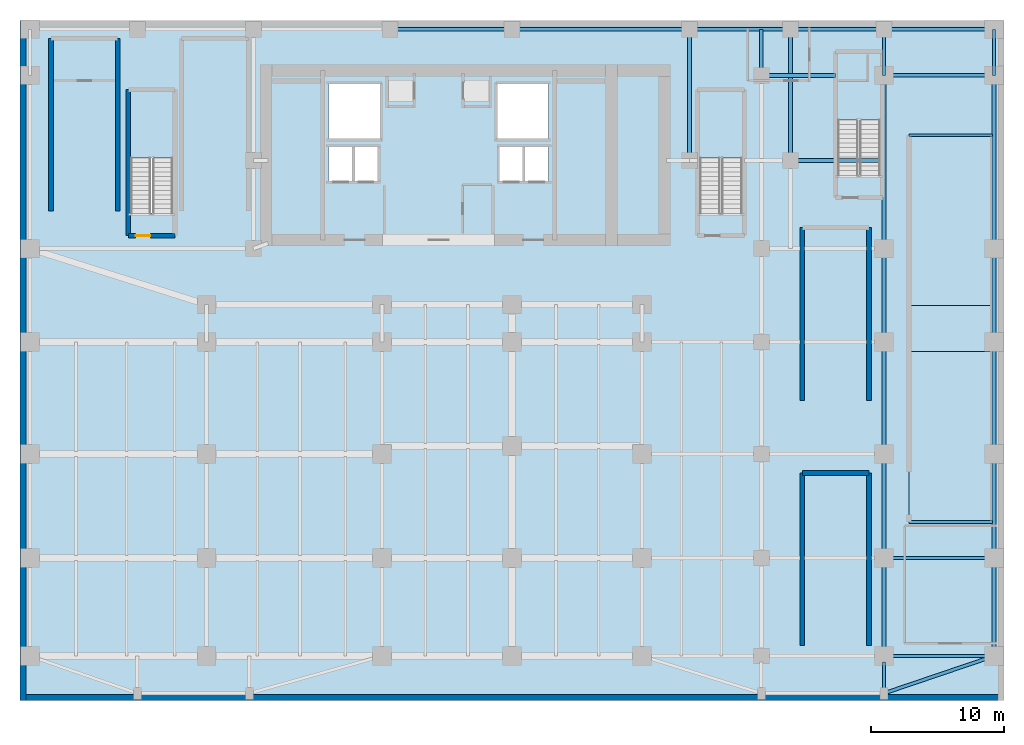
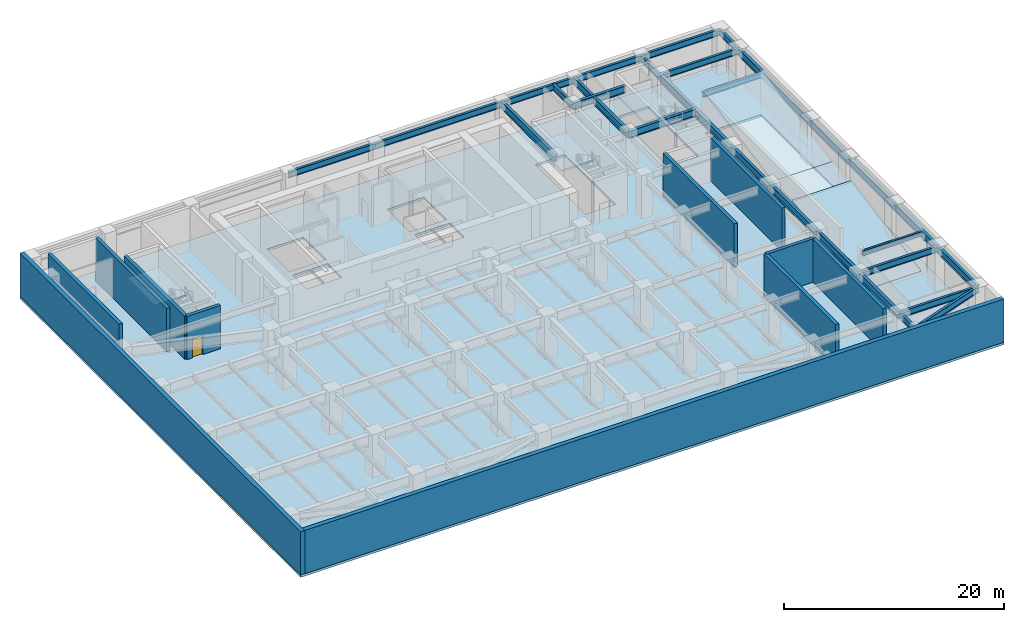
# One storey, part 3 of 9: 29 beams, 11 walls, 7 slabs, 1 door, 1 opening, 3 elements without a shape of their own.
"""IFC4 building model written with IfcOpenShell, lengths in metres."""

from ifc_helpers import new_model, si_unit, direction, frame, frame_2d, origin, origin_2d, place, context, subcontext, project, spatial, polyline, rectangle, i_section, outline, extrude, faceted_brep, source, transform, mapped, material, layer, layer_set, material_profile, profile_set, type_object, type_shapes, element, fill, aggregate, save


model = new_model("IFC4")

# Units and contexts
model_context = context("Model", 3, precision=1e-05, world=origin(), true_north=direction((0.0, 1.0)))
body_context = subcontext(model_context, "Body", "Model", "MODEL_VIEW")
ifc_project = project(units=[si_unit("LENGTHUNIT", "METRE"), si_unit("AREAUNIT", "SQUARE_METRE"), si_unit("VOLUMEUNIT", "CUBIC_METRE"), si_unit("PLANEANGLEUNIT", "RADIAN"), si_unit("MASSUNIT", "GRAM", prefix="KILO")], contexts=[model_context])

# Site, building, storey
site_placement = place(None, origin())
site = spatial("IfcSite", under=ifc_project, at=site_placement, CompositionType="ELEMENT")
building_placement = place(site_placement, origin())
building = spatial("IfcBuilding", under=site, at=building_placement, Name="Tolvann Quenvar Hotel", CompositionType="ELEMENT")
storey_placement = place(building_placement, frame((0.0, 0.0, -4.800048828125)))
storey = spatial("IfcBuildingStorey", under=building, at=storey_placement, Name="B01", CompositionType="ELEMENT", Elevation=-4.800048828125)

# Beams
ifc_material_1 = material(Name="Steel Grade 350", Category="steel")
ifc_material_profile_1 = material_profile(ifc_material_1, i_section(OverallWidth=0.300048828125, OverallDepth=0.81591796875, WebThickness=0.010009765625, FlangeThickness=0.028076171875, at=origin_2d()), Name="800WB192")
ifc_profile_set_1 = profile_set([ifc_material_profile_1], Name="Steel Grade 350")
beam_type_1 = type_object("IfcBeamType", Name="BM_GIRD_800WB192", PredefinedType="BEAM", material=ifc_profile_set_1)
shared_shape_1 = source(origin(), body_context, "Body", "SweptSolid", [
    extrude(i_section(OverallWidth=0.300048828125, OverallDepth=0.81591796875, WebThickness=0.010009765625, FlangeThickness=0.028076171875, at=origin_2d()), origin(), (0.0, 0.0, 1.0), 7.349853515625),
])
for number, where, z_axis, x_axis, name in (
    (1, (56.39990234375, 0.85009765625, 4.132080078125), (0.0, 1.0, 0.0), (-1.0, 0.0, 0.0), "BM-B01-NS-J-0"),
    (2, (64.64990234375, 0.85009765625, 4.132080078125), (0.0, 1.0, 0.0), (-1.0, 0.0, 0.0), "BM-B01-NS-K-0"),
):
    element("IfcBeam", number, at=place(storey_placement, frame(where, z_axis=z_axis, x_axis=x_axis)), inside=storey, type_object=beam_type_1, Name=name, PredefinedType="BEAM", context=body_context, shape_type="MappedRepresentation", body=[
        mapped(shared_shape_1, transform((0.0, 0.0, 0.0), x_axis=(1.0, 0.0, 0.0), y_axis=(0.0, 1.0, 0.0), z_axis=(0.0, 0.0, 1.0), scale=1.0)),
    ])
shared_shape_2 = source(origin(), body_context, "Body", "SweptSolid", [
    extrude(i_section(OverallWidth=0.300048828125, OverallDepth=0.81591796875, WebThickness=0.010009765625, FlangeThickness=0.028076171875, at=origin_2d()), origin(), (0.0, 0.0, 1.0), 7.800048828125),
])
for number, where, z_axis, x_axis, name in (
    (3, (56.39990234375, 8.199951171875, 4.132080078125), (0.0, 1.0, 0.0), (-1.0, 0.0, 0.0), "BM-B01-NS-J-1"),
    (4, (64.64990234375, 8.199951171875, 4.132080078125), (0.0, 1.0, 0.0), (-1.0, 0.0, 0.0), "BM-B01-NS-K-1"),
):
    element("IfcBeam", number, at=place(storey_placement, frame(where, z_axis=z_axis, x_axis=x_axis)), inside=storey, type_object=beam_type_1, Name=name, PredefinedType="BEAM", context=body_context, shape_type="MappedRepresentation", body=[
        mapped(shared_shape_2, transform((0.0, 0.0, 0.0), x_axis=(1.0, 0.0, 0.0), y_axis=(0.0, 1.0, 0.0), z_axis=(0.0, 0.0, 1.0), scale=1.0)),
    ])
shared_shape_3 = source(origin(), body_context, "Body", "SweptSolid", [
    extrude(i_section(OverallWidth=0.300048828125, OverallDepth=0.81591796875, WebThickness=0.010009765625, FlangeThickness=0.028076171875, at=origin_2d()), origin(), (0.0, 0.0, 1.0), 8.39990234375),
])
for number, where, z_axis, x_axis, name in (
    (5, (56.39990234375, 16.0, 4.132080078125), (0.0, 1.0, 0.0), (-1.0, 0.0, 0.0), "BM-B01-NS-J-2"),
    (6, (64.64990234375, 16.0, 4.132080078125), (0.0, 1.0, 0.0), (-1.0, 0.0, 0.0), "BM-B01-NS-K-2"),
):
    element("IfcBeam", number, at=place(storey_placement, frame(where, z_axis=z_axis, x_axis=x_axis)), inside=storey, type_object=beam_type_1, Name=name, PredefinedType="BEAM", context=body_context, shape_type="MappedRepresentation", body=[
        mapped(shared_shape_3, transform((0.0, 0.0, 0.0), x_axis=(1.0, 0.0, 0.0), y_axis=(0.0, 1.0, 0.0), z_axis=(0.0, 0.0, 1.0), scale=1.0)),
    ])
ifc_material_profile_2 = material_profile(ifc_material_1, i_section(OverallWidth=0.25, OverallDepth=0.699951171875, WebThickness=0.010009765625, FlangeThickness=0.02392578125, at=origin_2d()), Name="700WB150")
ifc_profile_set_2 = profile_set([ifc_material_profile_2], Name="Steel Grade 350")
beam_type_2 = type_object("IfcBeamType", Name="BM_GIRD_700WB150", PredefinedType="BEAM", material=ifc_profile_set_2)
shared_shape_4 = source(origin(), body_context, "Body", "SweptSolid", [
    extrude(i_section(OverallWidth=0.25, OverallDepth=0.699951171875, WebThickness=0.010009765625, FlangeThickness=0.02392578125, at=origin_2d()), origin(), (0.0, 0.0, 1.0), 8.25),
])
for number, where, z_axis, x_axis, name in (
    (7, (56.39990234375, 0.85009765625, 4.18994140625), (1.0, 0.0, 0.0), (0.0, 1.0, 0.0), "BM-B01-GE3-1"),
    (8, (56.39990234375, 8.199951171875, 4.18994140625), (1.0, 0.0, 0.0), (0.0, 1.0, 0.0), "BM-B01-GE3-2"),
    (9, (56.39990234375, 44.39990234375, 4.18994140625), (1.0, 0.0, 0.0), (0.0, 1.0, 0.0), "BM-B01-GE3-6"),
    (10, (56.39990234375, 47.85009765625, 4.18994140625), (1.0, 0.0, 0.0), (0.0, 1.0, 0.0), "BM-B01-EWN-7"),
):
    element("IfcBeam", number, at=place(storey_placement, frame(where, z_axis=z_axis, x_axis=x_axis)), inside=storey, type_object=beam_type_2, Name=name, PredefinedType="BEAM", context=body_context, shape_type="MappedRepresentation", body=[
        mapped(shared_shape_4, transform((0.0, 0.0, 0.0), x_axis=(1.0, 0.0, 0.0), y_axis=(0.0, 1.0, 0.0), z_axis=(0.0, 0.0, 1.0), scale=1.0)),
    ])
shared_shape_5 = source(origin(), body_context, "Body", "SweptSolid", [
    extrude(i_section(OverallWidth=0.300048828125, OverallDepth=0.81591796875, WebThickness=0.010009765625, FlangeThickness=0.028076171875, at=origin_2d()), origin(), (0.0, 0.0, 1.0), 5.550048828125),
])
beam_1_placement = place(storey_placement, frame((47.199951171875, 44.39990234375, 4.132080078125), z_axis=(1.0, 0.0, 0.0), x_axis=(0.0, 1.0, 0.0)))
element("IfcBeam", 11, at=beam_1_placement, inside=storey, type_object=beam_type_1, Name="BM-B01-GE2-6", PredefinedType="BEAM", context=body_context, shape_type="MappedRepresentation", body=[
    mapped(shared_shape_5, transform((0.0, 0.0, 0.0), x_axis=(1.0, 0.0, 0.0), y_axis=(0.0, 1.0, 0.0), z_axis=(0.0, 0.0, 1.0), scale=1.0)),
])
shared_shape_6 = source(origin(), body_context, "Body", "SweptSolid", [
    extrude(i_section(OverallWidth=0.300048828125, OverallDepth=0.81591796875, WebThickness=0.010009765625, FlangeThickness=0.028076171875, at=origin_2d()), origin(), (0.0, 0.0, 1.0), 7.0),
])
for number, where, z_axis, x_axis, name in (
    (12, (56.39990234375, 24.39990234375, 4.132080078125), (0.0, 1.0, 0.0), (-1.0, 0.0, 0.0), "BM-B01-NS-J-3"),
    (13, (64.64990234375, 24.39990234375, 4.132080078125), (0.0, 1.0, 0.0), (-1.0, 0.0, 0.0), "BM-B01-NS-K-3"),
    (14, (49.39990234375, 38.0, 4.132080078125), (1.0, 0.0, 0.0), (0.0, 1.0, 0.0), "BM-B01-EW-PIN3"),
):
    element("IfcBeam", number, at=place(storey_placement, frame(where, z_axis=z_axis, x_axis=x_axis)), inside=storey, type_object=beam_type_1, Name=name, PredefinedType="BEAM", context=body_context, shape_type="MappedRepresentation", body=[
        mapped(shared_shape_6, transform((0.0, 0.0, 0.0), x_axis=(1.0, 0.0, 0.0), y_axis=(0.0, 1.0, 0.0), z_axis=(0.0, 0.0, 1.0), scale=1.0)),
    ])
shared_shape_7 = source(origin(), body_context, "Body", "SweptSolid", [
    extrude(i_section(OverallWidth=0.300048828125, OverallDepth=0.81591796875, WebThickness=0.010009765625, FlangeThickness=0.028076171875, at=origin_2d()), origin(), (0.0, 0.0, 1.0), 13.0),
])
for number, where, z_axis, x_axis, name in (
    (15, (56.39990234375, 31.39990234375, 4.132080078125), (0.0, 1.0, 0.0), (-1.0, 0.0, 0.0), "BM-B01-NS-J-4"),
    (16, (64.64990234375, 31.39990234375, 4.132080078125), (0.0, 1.0, 0.0), (-1.0, 0.0, 0.0), "BM-B01-NS-K-4"),
):
    element("IfcBeam", number, at=place(storey_placement, frame(where, z_axis=z_axis, x_axis=x_axis)), inside=storey, type_object=beam_type_1, Name=name, PredefinedType="BEAM", context=body_context, shape_type="MappedRepresentation", body=[
        mapped(shared_shape_7, transform((0.0, 0.0, 0.0), x_axis=(1.0, 0.0, 0.0), y_axis=(0.0, 1.0, 0.0), z_axis=(0.0, 0.0, 1.0), scale=1.0)),
    ])
shared_shape_8 = source(origin(), body_context, "Body", "SweptSolid", [
    extrude(i_section(OverallWidth=0.25, OverallDepth=0.699951171875, WebThickness=0.010009765625, FlangeThickness=0.02392578125, at=origin_2d()), origin(), (0.0, 0.0, 1.0), 3.4501953125),
])
for number, where, z_axis, x_axis, name in (
    (17, (47.199951171875, 44.39990234375, 4.18994140625), (0.0, 1.0, 0.0), (-1.0, 0.0, 0.0), "BM-B01-NSN-H"),
    (18, (56.39990234375, 44.39990234375, 4.18994140625), (0.0, 1.0, 0.0), (-1.0, 0.0, 0.0), "BM-B01-NSN-J"),
    (19, (64.64990234375, 44.39990234375, 4.18994140625), (0.0, 1.0, 0.0), (-1.0, 0.0, 0.0), "BM-B01-NSN-K"),
):
    element("IfcBeam", number, at=place(storey_placement, frame(where, z_axis=z_axis, x_axis=x_axis)), inside=storey, type_object=beam_type_2, Name=name, PredefinedType="BEAM", context=body_context, shape_type="MappedRepresentation", body=[
        mapped(shared_shape_8, transform((0.0, 0.0, 0.0), x_axis=(1.0, 0.0, 0.0), y_axis=(0.0, 1.0, 0.0), z_axis=(0.0, 0.0, 1.0), scale=1.0)),
    ])
shared_shape_9 = source(origin(), body_context, "Body", "SweptSolid", [
    extrude(i_section(OverallWidth=0.25, OverallDepth=0.699951171875, WebThickness=0.010009765625, FlangeThickness=0.02392578125, at=origin_2d()), origin(), (0.0, 0.0, 1.0), 2.349853515625),
])
beam_2_placement = place(storey_placement, frame((56.39990234375, -1.949951171875, 4.18994140625), z_axis=(0.0, 1.0, 0.0), x_axis=(-1.0, 0.0, 0.0)))
element("IfcBeam", 20, at=beam_2_placement, inside=storey, type_object=beam_type_2, Name="BM-B01-NSS-J", PredefinedType="BEAM", context=body_context, shape_type="MappedRepresentation", body=[
    mapped(shared_shape_9, transform((0.0, 0.0, 0.0), x_axis=(1.0, 0.0, 0.0), y_axis=(0.0, 1.0, 0.0), z_axis=(0.0, 0.0, 1.0), scale=1.0)),
])
shared_shape_10 = source(origin(), body_context, "Body", "SweptSolid", [
    extrude(i_section(OverallWidth=0.25, OverallDepth=0.699951171875, WebThickness=0.010009765625, FlangeThickness=0.02392578125, at=origin_2d()), origin(), (0.0, 0.0, 1.0), 8.712158203125),
])
beam_3_placement = place(storey_placement, frame((56.39990234375, -1.949951171875, 4.18994140625), z_axis=(0.946945808453, 0.32139327288, 0.0), x_axis=(-0.32139327288, 0.946945808453, 0.0)))
element("IfcBeam", 21, at=beam_3_placement, inside=storey, type_object=beam_type_2, Name="BM-B01-EWS-E2", PredefinedType="BEAM", context=body_context, shape_type="MappedRepresentation", body=[
    mapped(shared_shape_10, transform((0.0, 0.0, 0.0), x_axis=(1.0, 0.0, 0.0), y_axis=(0.0, 1.0, 0.0), z_axis=(0.0, 0.0, 1.0), scale=1.0)),
])
shared_shape_11 = source(origin(), body_context, "Body", "SweptSolid", [
    extrude(i_section(OverallWidth=0.25, OverallDepth=0.699951171875, WebThickness=0.010009765625, FlangeThickness=0.02392578125, at=origin_2d()), origin(), (0.0, 0.0, 1.0), 9.14990234375),
])
beam_4_placement = place(storey_placement, frame((19.35009765625, 47.85009765625, 4.18994140625), z_axis=(1.0, 0.0, 0.0), x_axis=(0.0, 1.0, 0.0)))
element("IfcBeam", 22, at=beam_4_placement, inside=storey, type_object=beam_type_2, Name="BM-B01-EWN-3", PredefinedType="BEAM", context=body_context, shape_type="MappedRepresentation", body=[
    mapped(shared_shape_11, transform((0.0, 0.0, 0.0), x_axis=(1.0, 0.0, 0.0), y_axis=(0.0, 1.0, 0.0), z_axis=(0.0, 0.0, 1.0), scale=1.0)),
])
shared_shape_12 = source(origin(), body_context, "Body", "SweptSolid", [
    extrude(i_section(OverallWidth=0.25, OverallDepth=0.699951171875, WebThickness=0.010009765625, FlangeThickness=0.02392578125, at=origin_2d()), origin(), (0.0, 0.0, 1.0), 13.300048828125),
])
beam_5_placement = place(storey_placement, frame((28.5, 47.85009765625, 4.18994140625), z_axis=(1.0, 0.0, 0.0), x_axis=(0.0, 1.0, 0.0)))
element("IfcBeam", 23, at=beam_5_placement, inside=storey, type_object=beam_type_2, Name="BM-B01-EWN-4", PredefinedType="BEAM", context=body_context, shape_type="MappedRepresentation", body=[
    mapped(shared_shape_12, transform((0.0, 0.0, 0.0), x_axis=(1.0, 0.0, 0.0), y_axis=(0.0, 1.0, 0.0), z_axis=(0.0, 0.0, 1.0), scale=1.0)),
])
shared_shape_13 = source(origin(), body_context, "Body", "SweptSolid", [
    extrude(i_section(OverallWidth=0.25, OverallDepth=0.699951171875, WebThickness=0.010009765625, FlangeThickness=0.02392578125, at=origin_2d()), origin(), (0.0, 0.0, 1.0), 7.599853515625),
])
beam_6_placement = place(storey_placement, frame((41.800048828125, 47.85009765625, 4.18994140625), z_axis=(1.0, 0.0, 0.0), x_axis=(0.0, 1.0, 0.0)))
element("IfcBeam", 24, at=beam_6_placement, inside=storey, type_object=beam_type_2, Name="BM-B01-EWN-5", PredefinedType="BEAM", context=body_context, shape_type="MappedRepresentation", body=[
    mapped(shared_shape_13, transform((0.0, 0.0, 0.0), x_axis=(1.0, 0.0, 0.0), y_axis=(0.0, 1.0, 0.0), z_axis=(0.0, 0.0, 1.0), scale=1.0)),
])
shared_shape_14 = source(origin(), body_context, "Body", "SweptSolid", [
    extrude(i_section(OverallWidth=0.25, OverallDepth=0.699951171875, WebThickness=0.010009765625, FlangeThickness=0.02392578125, at=origin_2d()), origin(), (0.0, 0.0, 1.0), 7.0),
])
type_shapes(beam_type_2, [shared_shape_4, shared_shape_8, shared_shape_9, shared_shape_10, shared_shape_11, shared_shape_12, shared_shape_13, shared_shape_14])
beam_7_placement = place(storey_placement, frame((49.39990234375, 47.85009765625, 4.18994140625), z_axis=(1.0, 0.0, 0.0), x_axis=(0.0, 1.0, 0.0)))
element("IfcBeam", 25, at=beam_7_placement, inside=storey, type_object=beam_type_2, Name="BM-B01-EWN-6", PredefinedType="BEAM", context=body_context, shape_type="MappedRepresentation", body=[
    mapped(shared_shape_14, transform((0.0, 0.0, 0.0), x_axis=(1.0, 0.0, 0.0), y_axis=(0.0, 1.0, 0.0), z_axis=(0.0, 0.0, 1.0), scale=1.0)),
])
shared_shape_15 = source(origin(), body_context, "Body", "SweptSolid", [
    extrude(i_section(OverallWidth=0.300048828125, OverallDepth=0.81591796875, WebThickness=0.010009765625, FlangeThickness=0.028076171875, at=origin_2d()), origin(), (0.0, 0.0, 1.0), 9.85009765625),
])
type_shapes(beam_type_1, [shared_shape_1, shared_shape_2, shared_shape_3, shared_shape_5, shared_shape_6, shared_shape_7, shared_shape_15])
for number, where, z_axis, x_axis, name in (
    (26, (41.800048828125, 38.0, 4.132080078125), (0.0, 1.0, 0.0), (-1.0, 0.0, 0.0), "BM-B01-NSB-PHN2"),
    (27, (49.39990234375, 38.0, 4.132080078125), (0.0, 1.0, 0.0), (-1.0, 0.0, 0.0), "BM-B01-NSB-PIN2"),
):
    element("IfcBeam", number, at=place(storey_placement, frame(where, z_axis=z_axis, x_axis=x_axis)), inside=storey, type_object=beam_type_1, Name=name, PredefinedType="BEAM", context=body_context, shape_type="MappedRepresentation", body=[
        mapped(shared_shape_15, transform((0.0, 0.0, 0.0), x_axis=(1.0, 0.0, 0.0), y_axis=(0.0, 1.0, 0.0), z_axis=(0.0, 0.0, 1.0), scale=1.0)),
    ])
ifc_material_profile_3 = material_profile(ifc_material_1, i_section(OverallWidth=0.208984375, OverallDepth=0.532958984375, WebThickness=0.01025390625, FlangeThickness=0.015625, FilletRadius=0.013916015625, at=origin_2d()), Name="530UB92")
ifc_profile_set_3 = profile_set([ifc_material_profile_3], Name="Steel Grade 350")
beam_type_3 = type_object("IfcBeamType", Name="BM_GIRD_530UB92", PredefinedType="BEAM", material=ifc_profile_set_3)
shared_shape_16 = source(origin(), body_context, "Body", "SweptSolid", [
    extrude(i_section(OverallWidth=0.208984375, OverallDepth=0.532958984375, WebThickness=0.01025390625, FlangeThickness=0.015625, FilletRadius=0.013916015625, at=origin_2d()), origin(), (0.0, 0.0, 1.0), 6.25),
])
type_shapes(beam_type_3, [shared_shape_16])
for number, where, z_axis, x_axis, name in (
    (28, (58.27490234375, 10.89990234375, 4.2734375), (1.0, 0.0, 0.0), (0.0, 1.0, 0.0), "BM-HDR-RAMP-B01-S"),
    (29, (58.27490234375, 39.89990234375, 4.2734375), (1.0, 0.0, 0.0), (0.0, 1.0, 0.0), "BM-HDR-RAMP-B01-N"),
):
    element("IfcBeam", number, at=place(storey_placement, frame(where, z_axis=z_axis, x_axis=x_axis)), inside=storey, type_object=beam_type_3, Name=name, PredefinedType="BEAM", context=body_context, shape_type="MappedRepresentation", body=[
        mapped(shared_shape_16, transform((0.0, 0.0, 0.0), x_axis=(1.0, 0.0, 0.0), y_axis=(0.0, 1.0, 0.0), z_axis=(0.0, 0.0, 1.0), scale=1.0)),
    ])

# Stair, slab
ifc_material_2 = material(Name="Concrete N40 (40 MPa)", Category="concrete")
stair_type = type_object("IfcStairType", Name="STAIR", PredefinedType="HALF_TURN_STAIR", material=ifc_material_2)
stair_1_placement = place(storey_placement, origin())
stair_1 = element("IfcStair", 30, at=stair_1_placement, inside=storey, type_object=stair_type, Name="B01 ST-B1", PredefinedType="HALF_TURN_STAIR")
ifc_layer_1 = layer(ifc_material_2, 0.199951171875)
ifc_layer_set_1 = layer_set([ifc_layer_1], Name="Concrete N40 (40 MPa)")
slab_type_1 = type_object("IfcSlabType", Name="SLAB_LANDING", PredefinedType="LANDING", material=ifc_layer_set_1)
slab_1_placement = place(storey_placement, frame((0.0, 0.0, 2.199951171875)))
slab_1 = element("IfcSlab", 31, at=slab_1_placement, type_object=slab_type_1, Name="ST-B1 landing 1", PredefinedType="LANDING", context=body_context, shape_type="SweptSolid", body=[
    extrude(outline(polyline([(3.179931640625, 38.18994140625), (3.179931640625, 43.22998046875), (-0.22998046875, 43.22998046875), (-0.22998046875, 38.18994140625), (3.179931640625, 38.18994140625)])), origin(), (0.0, 0.0, 1.0), 0.2001953125),
])
aggregate(stair_1, [slab_1])

stair_2_placement = place(storey_placement, origin())
stair_2 = element("IfcStair", 32, at=stair_2_placement, inside=storey, type_object=stair_type, Name="B01 ST-B2", PredefinedType="HALF_TURN_STAIR")
slab_2_placement = place(storey_placement, frame((0.0, 0.0, 2.199951171875)))
slab_2 = element("IfcSlab", 33, at=slab_2_placement, type_object=slab_type_1, Name="ST-B2 landing 1", PredefinedType="LANDING", context=body_context, shape_type="SweptSolid", body=[
    extrude(outline(polyline([(45.8798828125, 38.18994140625), (45.8798828125, 43.22998046875), (42.469970703125, 43.22998046875), (42.469970703125, 38.18994140625), (45.8798828125, 38.18994140625)])), origin(), (0.0, 0.0, 1.0), 0.2001953125),
])
aggregate(stair_2, [slab_2])

stair_3_placement = place(storey_placement, origin())
stair_3 = element("IfcStair", 34, at=stair_3_placement, inside=storey, type_object=stair_type, Name="B01 ST-B3", PredefinedType="HALF_TURN_STAIR")
slab_3_placement = place(storey_placement, frame((0.0, 0.0, 2.199951171875)))
slab_3 = element("IfcSlab", 35, at=slab_3_placement, type_object=slab_type_1, Name="ST-B3 landing 1", PredefinedType="LANDING", context=body_context, shape_type="SweptSolid", body=[
    extrude(outline(polyline([(56.22998046875, 41.0400390625), (56.22998046875, 46.080078125), (52.820068359375, 46.080078125), (52.820068359375, 41.0400390625), (56.22998046875, 41.0400390625)])), origin(), (0.0, 0.0, 1.0), 0.2001953125),
])
aggregate(stair_3, [slab_3])

# Slabs
ifc_material_3 = material(Name="Concrete N50 (50 MPa)", Category="concrete")
ifc_layer_2 = layer(ifc_material_3, 0.260009765625)
ifc_layer_set_2 = layer_set([ifc_layer_2], Name="Concrete N50 (50 MPa)")
slab_type_2 = type_object("IfcSlabType", Name="SLAB_POD_250", PredefinedType="FLOOR", material=ifc_layer_set_2)
slab_4_placement = place(storey_placement, frame((0.0, 0.0, -0.260009765625)))
element("IfcSlab", 36, at=slab_4_placement, inside=storey, type_object=slab_type_2, Name="Level B01 Structural Floor Slab", PredefinedType="FLOOR", context=body_context, shape_type="SweptSolid", body=[
    extrude(outline(polyline([(-8.39990234375, -2.5), (65.39990234375, -2.5), (65.39990234375, 48.5), (-8.39990234375, 48.5), (-8.39990234375, -2.5)]), holes=[polyline([(58.449951171875, 11.02490234375), (58.449951171875, 39.77490234375), (64.35009765625, 39.77490234375), (64.35009765625, 11.02490234375), (58.449951171875, 11.02490234375)]), polyline([(56.10009765625, 36.925048828125), (52.949951171875, 36.925048828125), (52.949951171875, 46.0), (56.10009765625, 46.0), (56.10009765625, 36.925048828125)]), polyline([(45.75, 34.074951171875), (42.60009765625, 34.074951171875), (42.60009765625, 43.14990234375), (45.75, 43.14990234375), (45.75, 34.074951171875)]), polyline([(27.39990234375, 43.75), (31.25, 43.75), (31.25, 39.64990234375), (27.39990234375, 39.64990234375), (27.39990234375, 43.75)]), polyline([(29.449951171875, 39.02001953125), (31.25, 39.02001953125), (31.25, 36.47998046875), (29.449951171875, 36.47998046875), (29.449951171875, 39.02001953125)]), polyline([(27.574951171875, 39.02001953125), (29.324951171875, 39.02001953125), (29.324951171875, 36.47998046875), (27.574951171875, 36.47998046875), (27.574951171875, 39.02001953125)]), polyline([(14.75, 43.75), (18.60009765625, 43.75), (18.60009765625, 39.64990234375), (14.75, 39.64990234375), (14.75, 43.75)]), polyline([(16.675048828125, 36.47998046875), (16.675048828125, 39.02001953125), (18.425048828125, 39.02001953125), (18.425048828125, 36.47998046875), (16.675048828125, 36.47998046875)]), polyline([(14.75, 36.47998046875), (14.75, 39.02001953125), (16.550048828125, 39.02001953125), (16.550048828125, 36.47998046875), (14.75, 36.47998046875)]), polyline([(3.050048828125, 34.074951171875), (-0.10009765625, 34.074951171875), (-0.10009765625, 43.14990234375), (3.050048828125, 43.14990234375), (3.050048828125, 34.074951171875)])]), origin(), (0.0, 0.0, 1.0), 0.260009765625),
])
ifc_layer_3 = layer(ifc_material_2, 0.25)
ifc_layer_set_3 = layer_set([ifc_layer_3], Name="Concrete N40 (40 MPa)")
slab_type_3 = type_object("IfcSlabType", Name="SLAB_RAMP_LAND_250", PredefinedType="LANDING", material=ifc_layer_set_3)
slab_5_placement = place(storey_placement, frame((0.0, 0.0, 2.150146484375)))
element("IfcSlab", 37, at=slab_5_placement, inside=storey, type_object=slab_type_3, Name="Vehicle Ramp Mid Landing Slab B01", PredefinedType="LANDING", context=body_context, shape_type="SweptSolid", body=[
    extrude(outline(polyline([(58.27490234375, 23.672119140625), (64.52490234375, 23.672119140625), (64.52490234375, 27.1279296875), (58.27490234375, 27.1279296875), (58.27490234375, 23.672119140625)])), origin(), (0.0, 0.0, 1.0), 0.25),
])
ifc_layer_4 = layer(ifc_material_2, 0.25)
ifc_layer_set_4 = layer_set([ifc_layer_4], Name="Concrete N40 (40 MPa)")
slab_type_4 = type_object("IfcSlabType", Name="SLAB_VEH_RAMP_250", PredefinedType="BASESLAB", material=ifc_layer_set_4)
slab_6_placement = place(storey_placement, origin())
element("IfcSlab", 38, at=slab_6_placement, inside=storey, type_object=slab_type_4, Name="Vehicle Ramp Structural Slab B01-1", PredefinedType="BASESLAB", context=body_context, shape_type="Brep", body=[
    faceted_brep([(58.27490234375, 11.0, 0.0), (64.52490234375, 11.0, 0.0), (64.52490234375, 23.672119140625, 2.400146484375), (58.27490234375, 23.672119140625, 2.400146484375), (58.27490234375, 23.672119140625, 2.145751953125), (64.52490234375, 23.672119140625, 2.145751953125), (64.52490234375, 11.0, -0.25439453125), (58.27490234375, 11.0, -0.25439453125)], [[[0, 1, 2, 3]], [[4, 5, 6, 7]], [[7, 6, 1, 0]], [[6, 5, 2, 1]], [[5, 4, 3, 2]], [[4, 7, 0, 3]]]),
])
slab_7_placement = place(storey_placement, origin())
element("IfcSlab", 39, at=slab_7_placement, inside=storey, type_object=slab_type_4, Name="Vehicle Ramp Structural Slab B01-2", PredefinedType="BASESLAB", context=body_context, shape_type="Brep", body=[
    faceted_brep([(58.27490234375, 27.1279296875, 2.400146484375), (64.52490234375, 27.1279296875, 2.400146484375), (64.52490234375, 39.800048828125, 4.800048828125), (58.27490234375, 39.800048828125, 4.800048828125), (58.27490234375, 39.800048828125, 4.545654296875), (64.52490234375, 39.800048828125, 4.545654296875), (64.52490234375, 27.1279296875, 2.145751953125), (58.27490234375, 27.1279296875, 2.145751953125)], [[[0, 1, 2, 3]], [[4, 5, 6, 7]], [[7, 6, 1, 0]], [[6, 5, 2, 1]], [[5, 4, 3, 2]], [[4, 7, 0, 3]]]),
])

# Wall, opening, door
ifc_material_4 = material(Name="Concrete S65 (65 MPa)", Category="concrete")
ifc_layer_5 = layer(ifc_material_4, 0.35009765625)
ifc_layer_set_5 = layer_set([ifc_layer_5], Name="Concrete S65 (65 MPa)")
wall_type_1 = type_object("IfcWallType", Name="WALL_CORE_INT_350", PredefinedType="SHEAR", material=ifc_layer_set_5)
wall_1_placement = place(storey_placement, frame((-0.27490234375, 32.375, 0.0), z_axis=(0.0, 0.0, 1.0), x_axis=(1.0, 0.0, 0.0)))
wall_1 = element("IfcWall", 40, at=wall_1_placement, inside=storey, type_object=wall_type_1, Name="Stairwell ST-B1 Structural Shaft Wall S (B01)", PredefinedType="SHEAR", context=body_context, shape_type="SweptSolid", body=[
    extrude(rectangle(XDim=3.5, YDim=0.35009765625, at=frame_2d((1.75, 0.0))), origin(), (0.0, 0.0, 1.0), 4.800048828125),
])
opening_placement = place(wall_1_placement, frame((0.550048828125, 0.0, 0.0)))
opening = element("IfcOpeningElement", 41, at=opening_placement, cuts=wall_1, Name="Opening FD-120", PredefinedType="OPENING", context=body_context, shape_type="SweptSolid", body=[
    extrude(rectangle(XDim=1.10009765625, YDim=2.1201171875, at=frame_2d((0.550048828125, 1.06005859375))), frame((0.0, 0.18505859375, 0.0), z_axis=(0.0, -1.0, 0.0), x_axis=(1.0, 0.0, 0.0)), (0.0, 0.0, 1.0), 0.3701171875),
])
ifc_material_5 = material(Name="Pressed galvanised steel fire-rated door set", Category="steel")
door_type = type_object("IfcDoorType", Name="DOOR_FIRE_STAIR_1100", OperationType="NOTDEFINED", PredefinedType="DOOR", material=ifc_material_5)
shared_shape_17 = source(origin(), body_context, "Body", "SweptSolid", [
    extrude(rectangle(XDim=1.10009765625, YDim=2.1201171875, at=frame_2d((0.550048828125, 1.06005859375))), frame((0.0, 0.02490234375, 0.0), z_axis=(0.0, -1.0, 0.0), x_axis=(1.0, 0.0, 0.0)), (0.0, 0.0, 1.0), 0.050048828125),
])
type_shapes(door_type, [shared_shape_17])
door_placement = place(opening_placement, origin())
door = element("IfcDoor", 42, at=door_placement, inside=storey, type_object=door_type, Name="Exit Stair ST-B1 Fire Door (B01)", OperationType="SINGLE_SWING_LEFT", OverallHeight=2.1201171875, OverallWidth=1.10009765625, PredefinedType="DOOR", context=body_context, shape_type="MappedRepresentation", body=[
    mapped(shared_shape_17, transform((0.0, 0.0, 0.0), x_axis=(1.0, 0.0, 0.0), y_axis=(0.0, 1.0, 0.0), z_axis=(0.0, 0.0, 1.0), scale=1.0)),
])
fill(opening, door)

# Walls
wall_2_placement = place(storey_placement, frame((-0.27490234375, 43.324951171875, 0.0), z_axis=(0.0, 0.0, 1.0), x_axis=(0.0, -1.0, 0.0)))
element("IfcWall", 43, at=wall_2_placement, inside=storey, type_object=wall_type_1, Name="Stairwell ST-B1 Structural Shaft Wall W (B01)", PredefinedType="SHEAR", context=body_context, shape_type="SweptSolid", body=[
    extrude(rectangle(XDim=10.949951171875, YDim=0.35009765625, at=frame_2d((5.47509765625, 0.0))), origin(), (0.0, 0.0, 1.0), 4.800048828125),
])
for number, where, z_axis, x_axis, name in (
    (44, (-1.074951171875, 34.22509765625, 0.0), (0.0, 0.0, 1.0), (0.0, 1.0, 0.0), "Stairwell ST-P1 Structural Shaft Wall E (B01)"),
    (45, (-6.074951171875, 47.175048828125, 0.0), (0.0, 0.0, 1.0), (0.0, -1.0, 0.0), "Stairwell ST-P1 Structural Shaft Wall W (B01)"),
    (46, (55.27490234375, 1.625, 0.0), (0.0, 0.0, 1.0), (0.0, 1.0, 0.0), "Stairwell ST-P3 Structural Shaft Wall E (B01)"),
):
    element("IfcWall", number, at=place(storey_placement, frame(where, z_axis=z_axis, x_axis=x_axis)), inside=storey, type_object=wall_type_1, Name=name, PredefinedType="SHEAR", context=body_context, shape_type="SweptSolid", body=[
        extrude(rectangle(XDim=12.949951171875, YDim=0.35009765625, at=frame_2d((6.47509765625, 0.0))), origin(), (0.0, 0.0, 1.0), 4.800048828125),
    ])
wall_3_placement = place(storey_placement, frame((55.27490234375, 14.574951171875, 0.0), z_axis=(0.0, 0.0, 1.0), x_axis=(-1.0, 0.0, 0.0)))
element("IfcWall", 47, at=wall_3_placement, inside=storey, type_object=wall_type_1, Name="Stairwell ST-P3 Structural Shaft Wall N (B01)", PredefinedType="SHEAR", context=body_context, shape_type="SweptSolid", body=[
    extrude(rectangle(XDim=5.0, YDim=0.35009765625, at=frame_2d((2.5, 0.0))), origin(), (0.0, 0.0, 1.0), 4.800048828125),
])
wall_4_placement = place(storey_placement, frame((50.27490234375, 14.574951171875, 0.0), z_axis=(0.0, 0.0, 1.0), x_axis=(0.0, -1.0, 0.0)))
element("IfcWall", 48, at=wall_4_placement, inside=storey, type_object=wall_type_1, Name="Stairwell ST-P3 Structural Shaft Wall W (B01)", PredefinedType="SHEAR", context=body_context, shape_type="SweptSolid", body=[
    extrude(rectangle(XDim=12.949951171875, YDim=0.35009765625, at=frame_2d((6.47509765625, 0.0))), origin(), (0.0, 0.0, 1.0), 4.800048828125),
])
for number, where, z_axis, x_axis, name in (
    (49, (55.27490234375, 20.02490234375, 0.0), (0.0, 0.0, 1.0), (0.0, 1.0, 0.0), "Stairwell ST-P4 Structural Shaft Wall E (B01)"),
    (50, (50.27490234375, 32.97509765625, 0.0), (0.0, 0.0, 1.0), (0.0, -1.0, 0.0), "Stairwell ST-P4 Structural Shaft Wall W (B01)"),
):
    element("IfcWall", number, at=place(storey_placement, frame(where, z_axis=z_axis, x_axis=x_axis)), inside=storey, type_object=wall_type_1, Name=name, PredefinedType="SHEAR", context=body_context, shape_type="SweptSolid", body=[
        extrude(rectangle(XDim=12.9501953125, YDim=0.35009765625, at=frame_2d((6.47509765625, 0.0))), origin(), (0.0, 0.0, 1.0), 4.800048828125),
    ])
ifc_layer_6 = layer(ifc_material_3, 0.449951171875)
ifc_layer_set_6 = layer_set([ifc_layer_6], Name="Concrete N50 (50 MPa)")
wall_type_2 = type_object("IfcWallType", Name="WALL_RET_450", PredefinedType="SOLIDWALL", material=ifc_layer_set_6)
wall_5_placement = place(storey_placement, frame((-8.39990234375, -2.27490234375, 0.0), z_axis=(0.0, 0.0, 1.0), x_axis=(1.0, 0.0, 0.0)))
element("IfcWall", 51, at=wall_5_placement, inside=storey, type_object=wall_type_2, Name="Basement Perimeter Retaining Wall S (B01)", PredefinedType="SOLIDWALL", context=body_context, shape_type="SweptSolid", body=[
    extrude(rectangle(XDim=73.7998046875, YDim=0.449951171875, at=frame_2d((36.89990234375, 0.0))), origin(), (0.0, 0.0, 1.0), 4.800048828125),
])
wall_6_placement = place(storey_placement, frame((-8.175048828125, -2.5, 0.0), z_axis=(0.0, 0.0, 1.0), x_axis=(0.0, 1.0, 0.0)))
element("IfcWall", 52, at=wall_6_placement, inside=storey, type_object=wall_type_2, Name="Basement Perimeter Retaining Wall W (B01)", PredefinedType="SOLIDWALL", context=body_context, shape_type="SweptSolid", body=[
    extrude(rectangle(XDim=51.0, YDim=0.449951171875, at=frame_2d((25.5, 0.0))), origin(), (0.0, 0.0, 1.0), 4.800048828125),
])

save(model, "model.ifc")
